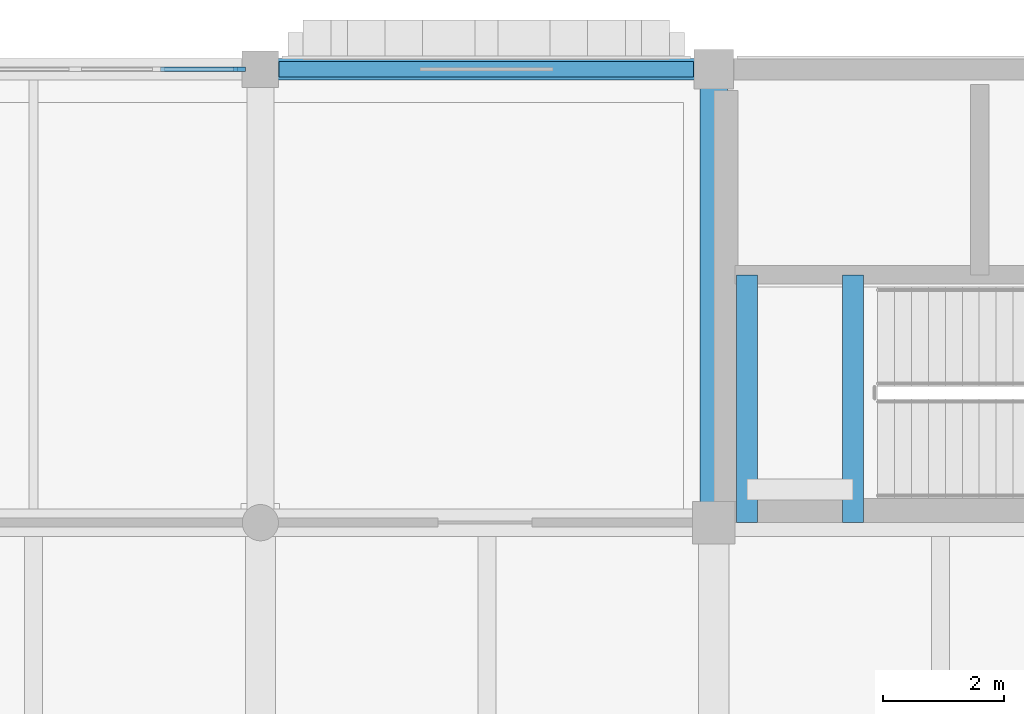
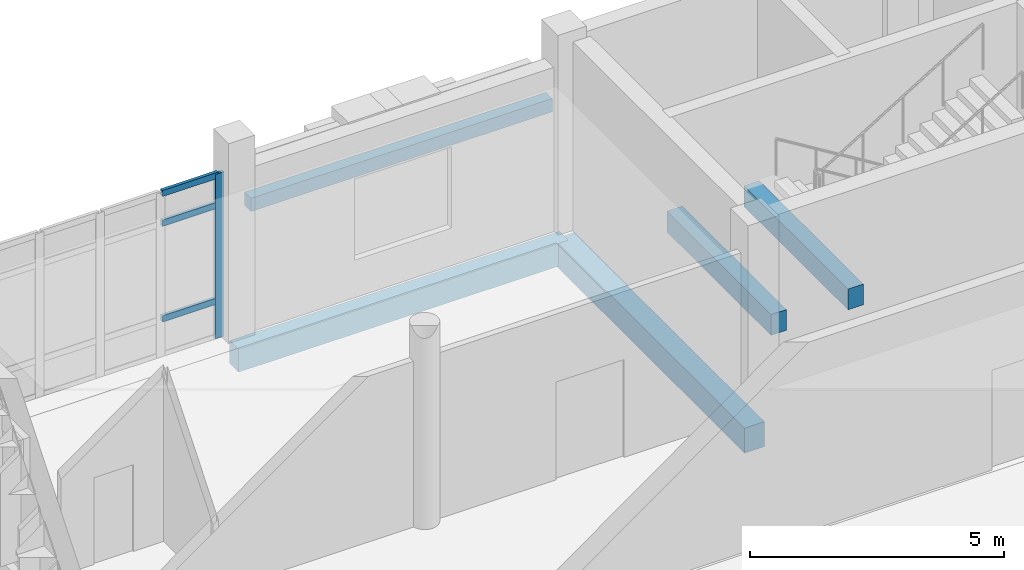
# One storey, part 57 of 131: 5 beams, 4 members, 1 element without a shape of its own.
"""IFC4 building model written with IfcOpenShell, lengths in metres."""

from ifc_helpers import new_model, si_unit, direction, frame, origin, origin_2d, place, context, subcontext, project, spatial, rectangle, extrude, material, layer, layer_set, material_profile, profile_set, type_object, element, aggregate, save


model = new_model("IFC4")

# Units and contexts
model_context = context("Model", 3, precision=1e-05, world=origin(), true_north=direction((0.0, 1.0)))
body_context = subcontext(model_context, "Body", "Model", "MODEL_VIEW")
ifc_project = project(units=[si_unit("LENGTHUNIT", "METRE"), si_unit("AREAUNIT", "SQUARE_METRE"), si_unit("VOLUMEUNIT", "CUBIC_METRE"), si_unit("PLANEANGLEUNIT", "RADIAN"), si_unit("MASSUNIT", "GRAM", prefix="KILO")], contexts=[model_context])

# Site, building, storey
site_placement = place(None, origin())
site = spatial("IfcSite", under=ifc_project, at=site_placement, CompositionType="ELEMENT")
building_placement = place(site_placement, origin())
building = spatial("IfcBuilding", under=site, at=building_placement, Name="Dalvernix Boulevard General Hospital", CompositionType="ELEMENT")
storey_placement = place(building_placement, frame((0.0, 0.0, 9.300048828125)))
storey = spatial("IfcBuildingStorey", under=building, at=storey_placement, Name="L02", CompositionType="ELEMENT", Elevation=9.300048828125)

# Beams
ifc_material_1 = material(Name="Concrete C35/45", Category="concrete")
ifc_material_profile_1 = material_profile(ifc_material_1, rectangle(XDim=0.449951171875, YDim=0.60009765625, at=origin_2d()), Name="RCB 450x600")
ifc_profile_set_1 = profile_set([ifc_material_profile_1], Name="Concrete C35/45")
beam_type_1 = type_object("IfcBeamType", Name="BM-B-04-I", PredefinedType="BEAM", material=ifc_profile_set_1)
beam_1_placement = place(storey_placement, frame((60.0, 109.5, -0.6201171875), z_axis=(0.0, 1.0, 0.0), x_axis=(-1.0, 0.0, 0.0)))
element("IfcBeam", 1, at=beam_1_placement, inside=storey, type_object=beam_type_1, Name="L02 N-S girder 9:Q-R", PredefinedType="BEAM", context=body_context, shape_type="SweptSolid", body=[
    extrude(rectangle(XDim=0.449951171875, YDim=0.60009765625, at=origin_2d()), origin(), (0.0, 0.0, 1.0), 7.5),
])
ifc_material_profile_2 = material_profile(ifc_material_1, rectangle(XDim=0.35009765625, YDim=0.5, at=origin_2d()), Name="RCB 350x500")
ifc_profile_set_2 = profile_set([ifc_material_profile_2], Name="Concrete C35/45")
beam_type_2 = type_object("IfcBeamType", Name="BM-B-08", PredefinedType="BEAM", material=ifc_profile_set_2)
for number, where, z_axis, x_axis, name in (
    (2, (60.550048828125, 109.5, 1.949951171875), (0.0, 1.0, 0.0), (-1.0, 0.0, 0.0), "L02 C3 stair half-landing beam 1"),
    (3, (62.300048828125, 109.5, 1.949951171875), (0.0, 1.0, 0.0), (-1.0, 0.0, 0.0), "L02 C3 stair half-landing beam 2"),
):
    element("IfcBeam", number, at=place(storey_placement, frame(where, z_axis=z_axis, x_axis=x_axis)), inside=storey, type_object=beam_type_2, Name=name, PredefinedType="BEAM", context=body_context, shape_type="SweptSolid", body=[
        extrude(rectangle(XDim=0.35009765625, YDim=0.5, at=origin_2d()), origin(), (0.0, 0.0, 1.0), 4.10009765625),
    ])
ifc_material_2 = material(Name="Precast concrete C40/50", Category="concrete")
ifc_material_profile_3 = material_profile(ifc_material_2, rectangle(XDim=0.25, YDim=0.320068359375, at=origin_2d()), Name="RCL 250x320")
ifc_profile_set_3 = profile_set([ifc_material_profile_3], Name="Precast concrete C40/50")
beam_type_3 = type_object("IfcBeamType", Name="BM-LB-01", PredefinedType="LINTEL", material=ifc_profile_set_3)
beam_2_placement = place(storey_placement, frame((52.81005859375, 117.0, 3.010009765625), z_axis=(1.0, 0.0, 0.0), x_axis=(0.0, 1.0, 0.0)))
element("IfcBeam", 4, at=beam_2_placement, inside=storey, type_object=beam_type_3, Name="L02 precast window lintel N 7-15", PredefinedType="LINTEL", context=body_context, shape_type="SweptSolid", body=[
    extrude(rectangle(XDim=0.25, YDim=0.320068359375, at=origin_2d()), origin(), (0.0, 0.0, 1.0), 6.85498046875),
])
ifc_material_profile_4 = material_profile(ifc_material_1, rectangle(XDim=0.35009765625, YDim=0.550048828125, at=origin_2d()), Name="RCB 350x550")
ifc_profile_set_4 = profile_set([ifc_material_profile_4], Name="Concrete C35/45")
beam_type_4 = type_object("IfcBeamType", Name="BM-SB-01-E", PredefinedType="SPANDREL", material=ifc_profile_set_4)
beam_3_placement = place(storey_placement, frame((52.5, 117.0, -0.594970703125), z_axis=(1.0, 0.0, 0.0), x_axis=(0.0, 1.0, 0.0)))
element("IfcBeam", 5, at=beam_3_placement, inside=storey, type_object=beam_type_4, Name="L02 E-W girder R:8-9", PredefinedType="SPANDREL", context=body_context, shape_type="SweptSolid", body=[
    extrude(rectangle(XDim=0.35009765625, YDim=0.550048828125, at=origin_2d()), origin(), (0.0, 0.0, 1.0), 7.5),
])

# Curtain wall, members
ifc_material_3 = material(Name="Thermally broken aluminium and solar-control glass curtain wall", Category="aluminium")
ifc_layer = layer(ifc_material_3, 0.199951171875)
ifc_layer_set = layer_set([ifc_layer], Name="Thermally broken aluminium and solar-control glass curtain wall (CW-CW-C-69x40)")
curtain_wall_type = type_object("IfcCurtainWallType", Name="CW-CW-C-69x40", PredefinedType="USERDEFINED", material=ifc_layer_set)
curtain_wall_placement = place(storey_placement, origin())
curtain_wall = element("IfcCurtainWall", 6, at=curtain_wall_placement, inside=storey, type_object=curtain_wall_type, Name="L02 curtain wall CW-C-69x40 6-15", ObjectType="GLAZED FACADE", PredefinedType="USERDEFINED")
ifc_material_4 = material(Name="Aluminium EN AW-6060", Category="aluminium")
ifc_material_profile_5 = material_profile(ifc_material_4, rectangle(XDim=0.070068359375, YDim=0.199951171875, at=origin_2d()), Name="ALU MULL 70x200")
ifc_profile_set_5 = profile_set([ifc_material_profile_5], Name="Aluminium EN AW-6060")
member_type_1 = type_object("IfcMemberType", Name="MEM-CW-M3", PredefinedType="MULLION", material=ifc_profile_set_5)
member_1_placement = place(storey_placement, frame((52.155029296875, 117.0, 0.0), z_axis=(0.0, 0.0, 1.0), x_axis=(0.0, 1.0, 0.0)))
member_1 = element("IfcMember", 7, at=member_1_placement, type_object=member_type_1, Name="CW-C-69x40 mullion 6", PredefinedType="MULLION", context=body_context, shape_type="SweptSolid", body=[
    extrude(rectangle(XDim=0.070068359375, YDim=0.199951171875, at=origin_2d()), origin(), (0.0, 0.0, 1.0), 3.949951171875),
])
ifc_material_profile_6 = material_profile(ifc_material_4, rectangle(XDim=0.070068359375, YDim=0.14990234375, at=origin_2d()), Name="ALU TRAN 70x150")
ifc_profile_set_6 = profile_set([ifc_material_profile_6], Name="Aluminium EN AW-6060")
member_type_2 = type_object("IfcMemberType", Name="MEM-CW-T3", PredefinedType="USERDEFINED", material=ifc_profile_set_6)
member_2_placement = place(storey_placement, frame((50.84912109375, 117.0, 0.89990234375), z_axis=(1.0, 0.0, 0.0), x_axis=(0.0, 1.0, 0.0)))
member_2 = element("IfcMember", 8, at=member_2_placement, type_object=member_type_2, Name="CW-C-69x40 transom 5.2", ObjectType="TRANSOM", PredefinedType="USERDEFINED", context=body_context, shape_type="SweptSolid", body=[
    extrude(rectangle(XDim=0.070068359375, YDim=0.14990234375, at=origin_2d()), origin(), (0.0, 0.0, 1.0), 1.27099609375),
])
member_3_placement = place(storey_placement, frame((50.84912109375, 117.0, 3.199951171875), z_axis=(1.0, 0.0, 0.0), x_axis=(0.0, 1.0, 0.0)))
member_3 = element("IfcMember", 9, at=member_3_placement, type_object=member_type_2, Name="CW-C-69x40 transom 5.3", ObjectType="TRANSOM", PredefinedType="USERDEFINED", context=body_context, shape_type="SweptSolid", body=[
    extrude(rectangle(XDim=0.070068359375, YDim=0.14990234375, at=origin_2d()), origin(), (0.0, 0.0, 1.0), 1.27099609375),
])
member_4_placement = place(storey_placement, frame((50.84912109375, 117.0, 3.9150390625), z_axis=(1.0, 0.0, 0.0), x_axis=(0.0, 1.0, 0.0)))
member_4 = element("IfcMember", 10, at=member_4_placement, type_object=member_type_2, Name="CW-C-69x40 transom 5.4", ObjectType="TRANSOM", PredefinedType="USERDEFINED", context=body_context, shape_type="SweptSolid", body=[
    extrude(rectangle(XDim=0.070068359375, YDim=0.14990234375, at=origin_2d()), origin(), (0.0, 0.0, 1.0), 1.27099609375),
])
aggregate(curtain_wall, [member_1, member_2, member_3, member_4])

save(model, "model.ifc")
